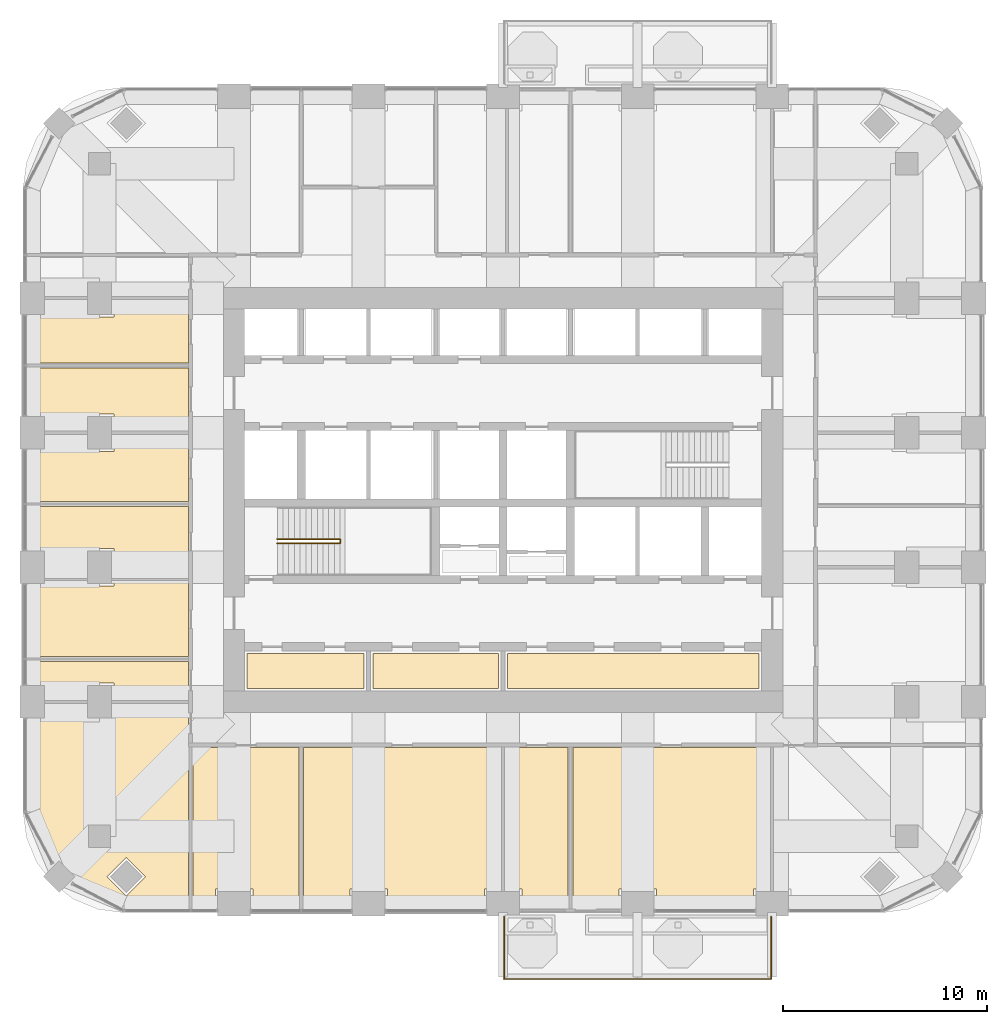
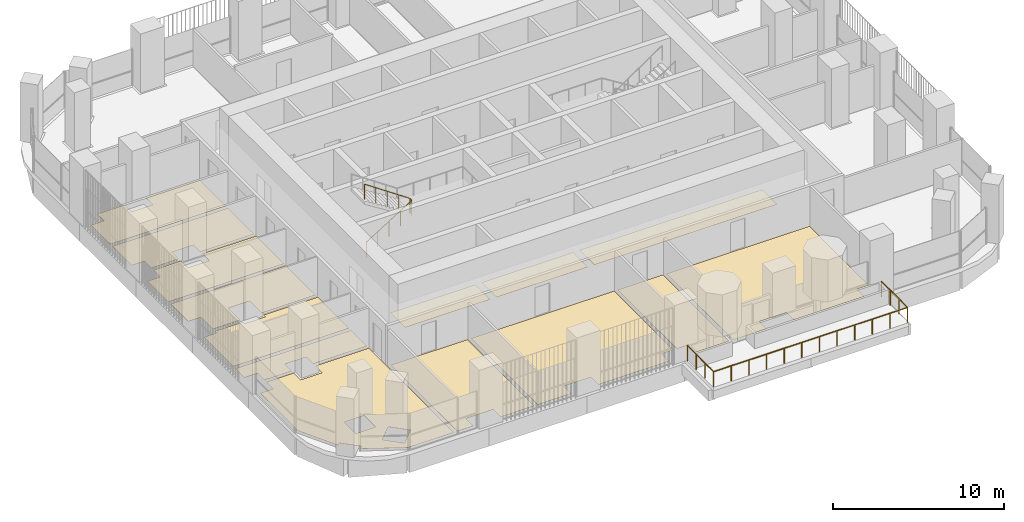
# One storey, part 17 of 20: 14 coverings, 2 railings.
"""IFC4 building model written with IfcOpenShell, lengths in metres."""

from ifc_helpers import new_model, si_unit, direction, frame, origin, place, context, subcontext, project, spatial, polyline, outline, extrude, material, layer, layer_set, type_object, element, save


model = new_model("IFC4")

# Units and contexts
model_context = context("Model", 3, precision=1e-05, world=origin(), true_north=direction((0.0, 1.0)))
body_context = subcontext(model_context, "Body", "Model", "MODEL_VIEW")
ifc_project = project(units=[si_unit("LENGTHUNIT", "METRE"), si_unit("AREAUNIT", "SQUARE_METRE"), si_unit("VOLUMEUNIT", "CUBIC_METRE"), si_unit("PLANEANGLEUNIT", "RADIAN"), si_unit("MASSUNIT", "GRAM", prefix="KILO")], contexts=[model_context])

# Site, building, storey
site_placement = place(None, origin())
site = spatial("IfcSite", under=ifc_project, at=site_placement, CompositionType="ELEMENT")
building_placement = place(site_placement, origin())
building = spatial("IfcBuilding", under=site, at=building_placement, Name="Cobogo Forest Laboratory Tower", CompositionType="ELEMENT")
storey_placement = place(building_placement, frame((0.0, 0.0, 214.5)))
storey = spatial("IfcBuildingStorey", under=building, at=storey_placement, Name="L49", CompositionType="ELEMENT", Elevation=214.5)

# Railing
ifc_material_1 = material(Name="Laminated glass balustrade", Category="glass")
railing_type_1 = type_object("IfcRailingType", Name="BG1 glass balustrade 1100", PredefinedType="GUARDRAIL", material=ifc_material_1)
railing_1_placement = place(storey_placement, frame((26.449951171875, 2.64990234375, 0.0)))
element("IfcRailing", 1, at=railing_1_placement, inside=storey, type_object=railing_type_1, Name="Balcony balustrade BAL-S1 L49", PredefinedType="GUARDRAIL", context=body_context, shape_type="SweptSolid", body=[
    extrude(outline(polyline([(0.022216796875, 0.00927734375), (0.00927734375, 0.022216796875), (-0.00927734375, 0.022216796875), (-0.022216796875, 0.00927734375), (-0.022216796875, -0.00927734375), (-0.00927734375, -0.022216796875), (0.00927734375, -0.022216796875), (0.022216796875, -0.00927734375), (0.022216796875, 0.00927734375)])), frame((0.0, 0.0, 1.077880859375), z_axis=(0.0, -1.0, 0.0), x_axis=(1.0, 0.0, 0.0)), (0.0, 0.0, 1.0), 3.0498046875),
    extrude(outline(polyline([(0.022216796875, 0.00927734375), (0.00927734375, 0.022216796875), (-0.00927734375, 0.022216796875), (-0.022216796875, 0.00927734375), (-0.022216796875, -0.00927734375), (-0.00927734375, -0.022216796875), (0.00927734375, -0.022216796875), (0.022216796875, -0.00927734375), (0.022216796875, 0.00927734375)])), frame((0.0, -3.0498046875, 1.077880859375), z_axis=(1.0, 0.0, 0.0), x_axis=(0.0, 1.0, 0.0)), (0.0, 0.0, 1.0), 13.10009765625),
    extrude(outline(polyline([(0.022216796875, 0.00927734375), (0.00927734375, 0.022216796875), (-0.00927734375, 0.022216796875), (-0.022216796875, 0.00927734375), (-0.022216796875, -0.00927734375), (-0.00927734375, -0.022216796875), (0.00927734375, -0.022216796875), (0.022216796875, -0.00927734375), (0.022216796875, 0.00927734375)])), frame((13.10009765625, -3.0498046875, 1.077880859375), z_axis=(0.0, 1.0, 0.0), x_axis=(-1.0, 0.0, 0.0)), (0.0, 0.0, 1.0), 3.0498046875),
    extrude(outline(polyline([(0.019287109375, 0.008056640625), (0.008056640625, 0.019287109375), (-0.008056640625, 0.019287109375), (-0.019287109375, 0.008056640625), (-0.019287109375, -0.008056640625), (-0.008056640625, -0.019287109375), (0.008056640625, -0.019287109375), (0.019287109375, -0.008056640625), (0.019287109375, 0.008056640625)])), origin(), (0.0, 0.0, 1.0), 1.077880859375),
    extrude(outline(polyline([(0.019287109375, 0.008056640625), (0.008056640625, 0.019287109375), (-0.008056640625, 0.019287109375), (-0.019287109375, 0.008056640625), (-0.019287109375, -0.008056640625), (-0.008056640625, -0.019287109375), (0.008056640625, -0.019287109375), (0.019287109375, -0.008056640625), (0.019287109375, 0.008056640625)])), frame((0.0, -1.0166015625, 0.0)), (0.0, 0.0, 1.0), 1.077880859375),
    extrude(outline(polyline([(0.019287109375, 0.008056640625), (0.008056640625, 0.019287109375), (-0.008056640625, 0.019287109375), (-0.019287109375, 0.008056640625), (-0.019287109375, -0.008056640625), (-0.008056640625, -0.019287109375), (0.008056640625, -0.019287109375), (0.019287109375, -0.008056640625), (0.019287109375, 0.008056640625)])), frame((0.0, -2.033203125, 0.0)), (0.0, 0.0, 1.0), 1.077880859375),
    extrude(outline(polyline([(0.019287109375, 0.008056640625), (0.008056640625, 0.019287109375), (-0.008056640625, 0.019287109375), (-0.019287109375, 0.008056640625), (-0.019287109375, -0.008056640625), (-0.008056640625, -0.019287109375), (0.008056640625, -0.019287109375), (0.019287109375, -0.008056640625), (0.019287109375, 0.008056640625)])), frame((0.0, -3.0498046875, 0.0)), (0.0, 0.0, 1.0), 1.077880859375),
    extrude(outline(polyline([(0.019287109375, 0.008056640625), (0.008056640625, 0.019287109375), (-0.008056640625, 0.019287109375), (-0.019287109375, 0.008056640625), (-0.019287109375, -0.008056640625), (-0.008056640625, -0.019287109375), (0.008056640625, -0.019287109375), (0.019287109375, -0.008056640625), (0.019287109375, 0.008056640625)])), frame((1.19091796875, -3.0498046875, 0.0)), (0.0, 0.0, 1.0), 1.077880859375),
    extrude(outline(polyline([(0.019287109375, 0.008056640625), (0.008056640625, 0.019287109375), (-0.008056640625, 0.019287109375), (-0.019287109375, 0.008056640625), (-0.019287109375, -0.008056640625), (-0.008056640625, -0.019287109375), (0.008056640625, -0.019287109375), (0.019287109375, -0.008056640625), (0.019287109375, 0.008056640625)])), frame((2.3818359375, -3.0498046875, 0.0)), (0.0, 0.0, 1.0), 1.077880859375),
    extrude(outline(polyline([(0.019287109375, 0.008056640625), (0.008056640625, 0.019287109375), (-0.008056640625, 0.019287109375), (-0.019287109375, 0.008056640625), (-0.019287109375, -0.008056640625), (-0.008056640625, -0.019287109375), (0.008056640625, -0.019287109375), (0.019287109375, -0.008056640625), (0.019287109375, 0.008056640625)])), frame((3.57275390625, -3.0498046875, 0.0)), (0.0, 0.0, 1.0), 1.077880859375),
    extrude(outline(polyline([(0.019287109375, 0.008056640625), (0.008056640625, 0.019287109375), (-0.008056640625, 0.019287109375), (-0.019287109375, 0.008056640625), (-0.019287109375, -0.008056640625), (-0.008056640625, -0.019287109375), (0.008056640625, -0.019287109375), (0.019287109375, -0.008056640625), (0.019287109375, 0.008056640625)])), frame((4.763671875, -3.0498046875, 0.0)), (0.0, 0.0, 1.0), 1.077880859375),
    extrude(outline(polyline([(0.019287109375, 0.008056640625), (0.008056640625, 0.019287109375), (-0.008056640625, 0.019287109375), (-0.019287109375, 0.008056640625), (-0.019287109375, -0.008056640625), (-0.008056640625, -0.019287109375), (0.008056640625, -0.019287109375), (0.019287109375, -0.008056640625), (0.019287109375, 0.008056640625)])), frame((5.95458984375, -3.0498046875, 0.0)), (0.0, 0.0, 1.0), 1.077880859375),
    extrude(outline(polyline([(0.019287109375, 0.008056640625), (0.008056640625, 0.019287109375), (-0.008056640625, 0.019287109375), (-0.019287109375, 0.008056640625), (-0.019287109375, -0.008056640625), (-0.008056640625, -0.019287109375), (0.008056640625, -0.019287109375), (0.019287109375, -0.008056640625), (0.019287109375, 0.008056640625)])), frame((7.1455078125, -3.0498046875, 0.0)), (0.0, 0.0, 1.0), 1.077880859375),
    extrude(outline(polyline([(0.019287109375, 0.008056640625), (0.008056640625, 0.019287109375), (-0.008056640625, 0.019287109375), (-0.019287109375, 0.008056640625), (-0.019287109375, -0.008056640625), (-0.008056640625, -0.019287109375), (0.008056640625, -0.019287109375), (0.019287109375, -0.008056640625), (0.019287109375, 0.008056640625)])), frame((8.33642578125, -3.0498046875, 0.0)), (0.0, 0.0, 1.0), 1.077880859375),
    extrude(outline(polyline([(0.019287109375, 0.008056640625), (0.008056640625, 0.019287109375), (-0.008056640625, 0.019287109375), (-0.019287109375, 0.008056640625), (-0.019287109375, -0.008056640625), (-0.008056640625, -0.019287109375), (0.008056640625, -0.019287109375), (0.019287109375, -0.008056640625), (0.019287109375, 0.008056640625)])), frame((9.52734375, -3.0498046875, 0.0)), (0.0, 0.0, 1.0), 1.077880859375),
    extrude(outline(polyline([(0.019287109375, 0.008056640625), (0.008056640625, 0.019287109375), (-0.008056640625, 0.019287109375), (-0.019287109375, 0.008056640625), (-0.019287109375, -0.008056640625), (-0.008056640625, -0.019287109375), (0.008056640625, -0.019287109375), (0.019287109375, -0.008056640625), (0.019287109375, 0.008056640625)])), frame((10.71826171875, -3.0498046875, 0.0)), (0.0, 0.0, 1.0), 1.077880859375),
    extrude(outline(polyline([(0.019287109375, 0.008056640625), (0.008056640625, 0.019287109375), (-0.008056640625, 0.019287109375), (-0.019287109375, 0.008056640625), (-0.019287109375, -0.008056640625), (-0.008056640625, -0.019287109375), (0.008056640625, -0.019287109375), (0.019287109375, -0.008056640625), (0.019287109375, 0.008056640625)])), frame((11.9091796875, -3.0498046875, 0.0)), (0.0, 0.0, 1.0), 1.077880859375),
    extrude(outline(polyline([(0.019287109375, 0.008056640625), (0.008056640625, 0.019287109375), (-0.008056640625, 0.019287109375), (-0.019287109375, 0.008056640625), (-0.019287109375, -0.008056640625), (-0.008056640625, -0.019287109375), (0.008056640625, -0.019287109375), (0.019287109375, -0.008056640625), (0.019287109375, 0.008056640625)])), frame((13.10009765625, -3.0498046875, 0.0)), (0.0, 0.0, 1.0), 1.077880859375),
    extrude(outline(polyline([(0.019287109375, 0.008056640625), (0.008056640625, 0.019287109375), (-0.008056640625, 0.019287109375), (-0.019287109375, 0.008056640625), (-0.019287109375, -0.008056640625), (-0.008056640625, -0.019287109375), (0.008056640625, -0.019287109375), (0.019287109375, -0.008056640625), (0.019287109375, 0.008056640625)])), frame((13.10009765625, -2.033203125, 0.0)), (0.0, 0.0, 1.0), 1.077880859375),
    extrude(outline(polyline([(0.019287109375, 0.008056640625), (0.008056640625, 0.019287109375), (-0.008056640625, 0.019287109375), (-0.019287109375, 0.008056640625), (-0.019287109375, -0.008056640625), (-0.008056640625, -0.019287109375), (0.008056640625, -0.019287109375), (0.019287109375, -0.008056640625), (0.019287109375, 0.008056640625)])), frame((13.10009765625, -1.0166015625, 0.0)), (0.0, 0.0, 1.0), 1.077880859375),
    extrude(outline(polyline([(0.019287109375, 0.008056640625), (0.008056640625, 0.019287109375), (-0.008056640625, 0.019287109375), (-0.019287109375, 0.008056640625), (-0.019287109375, -0.008056640625), (-0.008056640625, -0.019287109375), (0.008056640625, -0.019287109375), (0.019287109375, -0.008056640625), (0.019287109375, 0.008056640625)])), frame((13.10009765625, 0.0, 0.0)), (0.0, 0.0, 1.0), 1.077880859375),
])

# Coverings
ifc_material_2 = material(Name="Carpet tile on raised access floor", Category="flooring")
ifc_layer_1 = layer(ifc_material_2, 0.008056640625)
ifc_layer_set_1 = layer_set([ifc_layer_1], Name="CT1 carpet tile floor 8")
covering_type_1 = type_object("IfcCoveringType", Name="CT1 carpet tile floor 8", PredefinedType="FLOORING", material=ifc_layer_set_1)
covering_1_placement = place(storey_placement, origin())
element("IfcCovering", 2, at=covering_1_placement, inside=storey, type_object=covering_type_1, Name="Carpet floor L49-01", PredefinedType="FLOORING", context=body_context, shape_type="SweptSolid", body=[
    extrude(outline(polyline([(16.3798828125, 10.955078125), (16.3798828125, 3.14990234375), (14.1201171875, 3.14990234375), (14.1201171875, 4.02001953125), (12.280029296875, 4.02001953125), (12.280029296875, 3.14990234375), (11.195068359375, 3.14990234375), (11.195068359375, 10.955078125), (16.3798828125, 10.955078125)])), origin(), (0.0, 0.0, 1.0), 0.008056640625),
])
covering_2_placement = place(storey_placement, origin())
element("IfcCovering", 3, at=covering_2_placement, inside=storey, type_object=covering_type_1, Name="Carpet floor L49-02", PredefinedType="FLOORING", context=body_context, shape_type="SweptSolid", body=[
    extrude(outline(polyline([(26.280029296875, 10.955078125), (26.280029296875, 4.02001953125), (25.47998046875, 4.02001953125), (25.47998046875, 3.14990234375), (20.719970703125, 3.14990234375), (20.719970703125, 4.02001953125), (18.8798828125, 4.02001953125), (18.8798828125, 3.14990234375), (16.6201171875, 3.14990234375), (16.6201171875, 10.955078125), (26.280029296875, 10.955078125)])), origin(), (0.0, 0.0, 1.0), 0.008056640625),
])
covering_3_placement = place(storey_placement, origin())
element("IfcCovering", 4, at=covering_3_placement, inside=storey, type_object=covering_type_1, Name="Carpet floor L49-03", PredefinedType="FLOORING", context=body_context, shape_type="SweptSolid", body=[
    extrude(outline(polyline([(29.580078125, 10.955078125), (29.580078125, 3.14990234375), (27.320068359375, 3.14990234375), (27.320068359375, 4.02001953125), (26.52001953125, 4.02001953125), (26.52001953125, 10.955078125), (29.580078125, 10.955078125)])), origin(), (0.0, 0.0, 1.0), 0.008056640625),
])
covering_4_placement = place(storey_placement, origin())
element("IfcCovering", 5, at=covering_4_placement, inside=storey, type_object=covering_type_1, Name="Carpet floor L49-04", PredefinedType="FLOORING", context=body_context, shape_type="SweptSolid", body=[
    extrude(outline(polyline([(39.47998046875, 10.955078125), (39.47998046875, 4.02001953125), (38.679931640625, 4.02001953125), (38.679931640625, 3.14990234375), (33.919921875, 3.14990234375), (33.919921875, 4.02001953125), (32.080078125, 4.02001953125), (32.080078125, 3.14990234375), (29.820068359375, 3.14990234375), (29.820068359375, 10.955078125), (39.47998046875, 10.955078125)])), origin(), (0.0, 0.0, 1.0), 0.008056640625),
])
covering_5_placement = place(storey_placement, origin())
element("IfcCovering", 6, at=covering_5_placement, inside=storey, type_object=covering_type_1, Name="Carpet floor L49-17", PredefinedType="FLOORING", context=body_context, shape_type="SweptSolid", body=[
    extrude(outline(polyline([(10.955078125, 3.14990234375), (7.84912109375, 3.14990234375), (5.387939453125, 4.440185546875), (5.5654296875, 4.617919921875), (4.617919921875, 5.5654296875), (4.440185546875, 5.387939453125), (3.14990234375, 7.84912109375), (3.14990234375, 12.280029296875), (4.02001953125, 12.280029296875), (4.02001953125, 13.080078125), (5.8798828125, 13.080078125), (5.8798828125, 12.280029296875), (7.320068359375, 12.280029296875), (7.320068359375, 13.080078125), (10.955078125, 13.080078125), (10.955078125, 3.14990234375)]), holes=[polyline([(7.91796875, 3.67041015625), (8.865478515625, 4.617919921875), (7.91796875, 5.5654296875), (6.970458984375, 4.617919921875), (7.91796875, 3.67041015625)]), polyline([(5.929931640625, 5.929931640625), (7.27001953125, 5.929931640625), (7.27001953125, 7.27001953125), (5.929931640625, 7.27001953125), (5.929931640625, 5.929931640625)])]), origin(), (0.0, 0.0, 1.0), 0.008056640625),
])
covering_6_placement = place(storey_placement, origin())
element("IfcCovering", 7, at=covering_6_placement, inside=storey, type_object=covering_type_1, Name="Carpet floor L49-34", PredefinedType="FLOORING", context=body_context, shape_type="SweptSolid", body=[
    extrude(outline(polyline([(19.580078125, 13.844970703125), (13.844970703125, 13.844970703125), (13.844970703125, 15.580078125), (19.580078125, 15.580078125), (19.580078125, 13.844970703125)])), origin(), (0.0, 0.0, 1.0), 0.008056640625),
])
covering_7_placement = place(storey_placement, origin())
element("IfcCovering", 8, at=covering_7_placement, inside=storey, type_object=covering_type_1, Name="Carpet floor L49-35", PredefinedType="FLOORING", context=body_context, shape_type="SweptSolid", body=[
    extrude(outline(polyline([(26.179931640625, 13.844970703125), (20.02001953125, 13.844970703125), (20.02001953125, 15.580078125), (26.179931640625, 15.580078125), (26.179931640625, 13.844970703125)])), origin(), (0.0, 0.0, 1.0), 0.008056640625),
])
covering_8_placement = place(storey_placement, origin())
element("IfcCovering", 9, at=covering_8_placement, inside=storey, type_object=covering_type_1, Name="Carpet floor L49-36", PredefinedType="FLOORING", context=body_context, shape_type="SweptSolid", body=[
    extrude(outline(polyline([(38.955078125, 13.844970703125), (26.6201171875, 13.844970703125), (26.6201171875, 15.580078125), (38.955078125, 15.580078125), (38.955078125, 13.844970703125)])), origin(), (0.0, 0.0, 1.0), 0.008056640625),
])

# Railing
ifc_material_3 = material(Name="Steel balustrade", Category="steel")
railing_type_2 = type_object("IfcRailingType", Name="GR stair guard 1100", PredefinedType="GUARDRAIL", material=ifc_material_3)
railing_2_placement = place(storey_placement, frame((15.324951171875, 20.969970703125, 0.175048828125)))
element("IfcRailing", 10, at=railing_2_placement, inside=storey, type_object=railing_type_2, Name="Stair guard ST1 L49", PredefinedType="GUARDRAIL", context=body_context, shape_type="SweptSolid", body=[
    extrude(outline(polyline([(0.022216796875, 0.00927734375), (0.00927734375, 0.022216796875), (-0.00927734375, 0.022216796875), (-0.022216796875, 0.00927734375), (-0.022216796875, -0.00927734375), (-0.00927734375, -0.022216796875), (0.00927734375, -0.022216796875), (0.022216796875, -0.00927734375), (0.022216796875, 0.00927734375)])), frame((0.0, 0.0, 1.077880859375), z_axis=(0.847998304005, 0.0, 0.529998940003), x_axis=(0.0, 1.0, 0.0)), (0.0, 0.0, 1.0), 3.632080078125),
    extrude(outline(polyline([(0.022216796875, 0.00927734375), (0.00927734375, 0.022216796875), (-0.00927734375, 0.022216796875), (-0.022216796875, 0.00927734375), (-0.022216796875, -0.00927734375), (-0.00927734375, -0.022216796875), (0.00927734375, -0.022216796875), (0.022216796875, -0.00927734375), (0.022216796875, 0.00927734375)])), frame((3.080078125, 0.0, 3.0029296875), z_axis=(0.0, 1.0, 0.0), x_axis=(-1.0, 0.0, 0.0)), (0.0, 0.0, 1.0), 0.2099609375),
    extrude(outline(polyline([(0.022216796875, 0.00927734375), (0.00927734375, 0.022216796875), (-0.00927734375, 0.022216796875), (-0.022216796875, 0.00927734375), (-0.022216796875, -0.00927734375), (-0.00927734375, -0.022216796875), (0.00927734375, -0.022216796875), (0.022216796875, -0.00927734375), (0.022216796875, 0.00927734375)])), frame((3.080078125, 0.2099609375, 3.0029296875), z_axis=(-0.826252282691, 0.0, 0.563300244406), x_axis=(0.0, -1.0, 0.0)), (0.0, 0.0, 1.0), 3.727783203125),
    extrude(outline(polyline([(0.019287109375, 0.008056640625), (0.008056640625, 0.019287109375), (-0.008056640625, 0.019287109375), (-0.019287109375, 0.008056640625), (-0.019287109375, -0.008056640625), (-0.008056640625, -0.019287109375), (0.008056640625, -0.019287109375), (0.019287109375, -0.008056640625), (0.019287109375, 0.008056640625)])), origin(), (0.0, 0.0, 1.0), 1.077880859375),
    extrude(outline(polyline([(0.019287109375, 0.008056640625), (0.008056640625, 0.019287109375), (-0.008056640625, 0.019287109375), (-0.019287109375, 0.008056640625), (-0.019287109375, -0.008056640625), (-0.008056640625, -0.019287109375), (0.008056640625, -0.019287109375), (0.019287109375, -0.008056640625), (0.019287109375, 0.008056640625)])), frame((0.77001953125, 0.0, 0.481201171875)), (0.0, 0.0, 1.0), 1.077880859375),
    extrude(outline(polyline([(0.019287109375, 0.008056640625), (0.008056640625, 0.019287109375), (-0.008056640625, 0.019287109375), (-0.019287109375, 0.008056640625), (-0.019287109375, -0.008056640625), (-0.008056640625, -0.019287109375), (0.008056640625, -0.019287109375), (0.019287109375, -0.008056640625), (0.019287109375, 0.008056640625)])), frame((1.5400390625, 0.0, 0.96240234375)), (0.0, 0.0, 1.0), 1.077880859375),
    extrude(outline(polyline([(0.019287109375, 0.008056640625), (0.008056640625, 0.019287109375), (-0.008056640625, 0.019287109375), (-0.019287109375, 0.008056640625), (-0.019287109375, -0.008056640625), (-0.008056640625, -0.019287109375), (0.008056640625, -0.019287109375), (0.019287109375, -0.008056640625), (0.019287109375, 0.008056640625)])), frame((2.31005859375, 0.0, 1.44384765625)), (0.0, 0.0, 1.0), 1.077880859375),
    extrude(outline(polyline([(0.019287109375, 0.008056640625), (0.008056640625, 0.019287109375), (-0.008056640625, 0.019287109375), (-0.019287109375, 0.008056640625), (-0.019287109375, -0.008056640625), (-0.008056640625, -0.019287109375), (0.008056640625, -0.019287109375), (0.019287109375, -0.008056640625), (0.019287109375, 0.008056640625)])), frame((3.080078125, 0.0, 1.925048828125)), (0.0, 0.0, 1.0), 1.077880859375),
    extrude(outline(polyline([(0.019287109375, 0.008056640625), (0.008056640625, 0.019287109375), (-0.008056640625, 0.019287109375), (-0.019287109375, 0.008056640625), (-0.019287109375, -0.008056640625), (-0.008056640625, -0.019287109375), (0.008056640625, -0.019287109375), (0.019287109375, -0.008056640625), (0.019287109375, 0.008056640625)])), frame((3.080078125, 0.2099609375, 1.925048828125)), (0.0, 0.0, 1.0), 1.077880859375),
    extrude(outline(polyline([(0.019287109375, 0.008056640625), (0.008056640625, 0.019287109375), (-0.008056640625, 0.019287109375), (-0.019287109375, 0.008056640625), (-0.019287109375, -0.008056640625), (-0.008056640625, -0.019287109375), (0.008056640625, -0.019287109375), (0.019287109375, -0.008056640625), (0.019287109375, 0.008056640625)])), frame((2.31005859375, 0.2099609375, 2.449951171875)), (0.0, 0.0, 1.0), 1.077880859375),
    extrude(outline(polyline([(0.019287109375, 0.008056640625), (0.008056640625, 0.019287109375), (-0.008056640625, 0.019287109375), (-0.019287109375, 0.008056640625), (-0.019287109375, -0.008056640625), (-0.008056640625, -0.019287109375), (0.008056640625, -0.019287109375), (0.019287109375, -0.008056640625), (0.019287109375, 0.008056640625)])), frame((1.5400390625, 0.2099609375, 2.97509765625)), (0.0, 0.0, 1.0), 1.077880859375),
    extrude(outline(polyline([(0.019287109375, 0.008056640625), (0.008056640625, 0.019287109375), (-0.008056640625, 0.019287109375), (-0.019287109375, 0.008056640625), (-0.019287109375, -0.008056640625), (-0.008056640625, -0.019287109375), (0.008056640625, -0.019287109375), (0.019287109375, -0.008056640625), (0.019287109375, 0.008056640625)])), frame((0.77001953125, 0.2099609375, 3.5)), (0.0, 0.0, 1.0), 1.077880859375),
    extrude(outline(polyline([(0.019287109375, 0.008056640625), (0.008056640625, 0.019287109375), (-0.008056640625, 0.019287109375), (-0.019287109375, 0.008056640625), (-0.019287109375, -0.008056640625), (-0.008056640625, -0.019287109375), (0.008056640625, -0.019287109375), (0.019287109375, -0.008056640625), (0.019287109375, 0.008056640625)])), frame((0.0, 0.2099609375, 4.02490234375)), (0.0, 0.0, 1.0), 1.077880859375),
])

# Coverings
ifc_material_4 = material(Name="Static-dissipative vinyl flooring", Category="flooring")
ifc_layer_2 = layer(ifc_material_4, 0.0029296875)
ifc_layer_set_2 = layer_set([ifc_layer_2], Name="SD1 static-dissipative vinyl floor 3")
covering_type_2 = type_object("IfcCoveringType", Name="SD1 static-dissipative vinyl floor 3", PredefinedType="FLOORING", material=ifc_layer_set_2)
covering_9_placement = place(storey_placement, origin())
element("IfcCovering", 11, at=covering_9_placement, inside=storey, type_object=covering_type_2, Name="Static-dissipative floor L49-22", PredefinedType="FLOORING", context=body_context, shape_type="SweptSolid", body=[
    extrude(outline(polyline([(10.955078125, 26.52001953125), (7.320068359375, 26.52001953125), (7.320068359375, 27.320068359375), (5.8798828125, 27.320068359375), (5.8798828125, 26.52001953125), (4.02001953125, 26.52001953125), (4.02001953125, 27.320068359375), (3.14990234375, 27.320068359375), (3.14990234375, 29.580078125), (10.955078125, 29.580078125), (10.955078125, 26.52001953125)])), origin(), (0.0, 0.0, 1.0), 0.0029296875),
])
covering_10_placement = place(storey_placement, origin())
element("IfcCovering", 12, at=covering_10_placement, inside=storey, type_object=covering_type_2, Name="Static-dissipative floor L49-23", PredefinedType="FLOORING", context=body_context, shape_type="SweptSolid", body=[
    extrude(outline(polyline([(10.955078125, 29.820068359375), (3.14990234375, 29.820068359375), (3.14990234375, 32.080078125), (4.02001953125, 32.080078125), (4.02001953125, 32.8798828125), (5.8798828125, 32.8798828125), (5.8798828125, 32.080078125), (7.320068359375, 32.080078125), (7.320068359375, 32.8798828125), (10.955078125, 32.8798828125), (10.955078125, 29.820068359375)])), origin(), (0.0, 0.0, 1.0), 0.0029296875),
])
ifc_material_5 = material(Name="Ceramic floor tile", Category="flooring")
ifc_layer_3 = layer(ifc_material_5, 0.010009765625)
ifc_layer_set_3 = layer_set([ifc_layer_3], Name="TF1 ceramic tile floor 10")
covering_type_3 = type_object("IfcCoveringType", Name="TF1 ceramic tile floor 10", PredefinedType="FLOORING", material=ifc_layer_set_3)
covering_11_placement = place(storey_placement, origin())
element("IfcCovering", 13, at=covering_11_placement, inside=storey, type_object=covering_type_3, Name="Tile floor L49-18", PredefinedType="FLOORING", context=body_context, shape_type="SweptSolid", body=[
    extrude(outline(polyline([(10.955078125, 13.320068359375), (7.320068359375, 13.320068359375), (7.320068359375, 14.1201171875), (5.8798828125, 14.1201171875), (5.8798828125, 13.320068359375), (4.02001953125, 13.320068359375), (4.02001953125, 14.1201171875), (3.14990234375, 14.1201171875), (3.14990234375, 15.179931640625), (10.955078125, 15.179931640625), (10.955078125, 13.320068359375)])), origin(), (0.0, 0.0, 1.0), 0.010009765625),
])
covering_12_placement = place(storey_placement, origin())
element("IfcCovering", 14, at=covering_12_placement, inside=storey, type_object=covering_type_3, Name="Tile floor L49-19", PredefinedType="FLOORING", context=body_context, shape_type="SweptSolid", body=[
    extrude(outline(polyline([(10.955078125, 15.419921875), (3.14990234375, 15.419921875), (3.14990234375, 18.8798828125), (4.02001953125, 18.8798828125), (4.02001953125, 19.080078125), (5.8798828125, 19.080078125), (5.8798828125, 18.8798828125), (7.320068359375, 18.8798828125), (7.320068359375, 19.080078125), (10.955078125, 19.080078125), (10.955078125, 15.419921875)])), origin(), (0.0, 0.0, 1.0), 0.010009765625),
])
covering_13_placement = place(storey_placement, origin())
element("IfcCovering", 15, at=covering_13_placement, inside=storey, type_object=covering_type_3, Name="Tile floor L49-20", PredefinedType="FLOORING", context=body_context, shape_type="SweptSolid", body=[
    extrude(outline(polyline([(10.955078125, 19.320068359375), (7.320068359375, 19.320068359375), (7.320068359375, 20.719970703125), (5.8798828125, 20.719970703125), (5.8798828125, 19.320068359375), (4.02001953125, 19.320068359375), (4.02001953125, 20.719970703125), (3.14990234375, 20.719970703125), (3.14990234375, 22.780029296875), (10.955078125, 22.780029296875), (10.955078125, 19.320068359375)])), origin(), (0.0, 0.0, 1.0), 0.010009765625),
])
covering_14_placement = place(storey_placement, origin())
element("IfcCovering", 16, at=covering_14_placement, inside=storey, type_object=covering_type_3, Name="Tile floor L49-21", PredefinedType="FLOORING", context=body_context, shape_type="SweptSolid", body=[
    extrude(outline(polyline([(10.955078125, 23.02001953125), (3.14990234375, 23.02001953125), (3.14990234375, 25.47998046875), (4.02001953125, 25.47998046875), (4.02001953125, 26.280029296875), (5.8798828125, 26.280029296875), (5.8798828125, 25.47998046875), (7.320068359375, 25.47998046875), (7.320068359375, 26.280029296875), (10.955078125, 26.280029296875), (10.955078125, 23.02001953125)])), origin(), (0.0, 0.0, 1.0), 0.010009765625),
])

save(model, "model.ifc")
